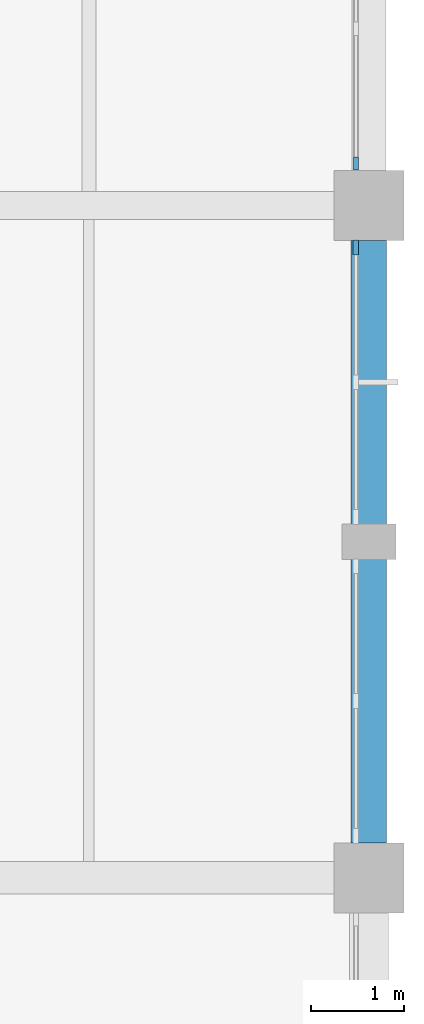
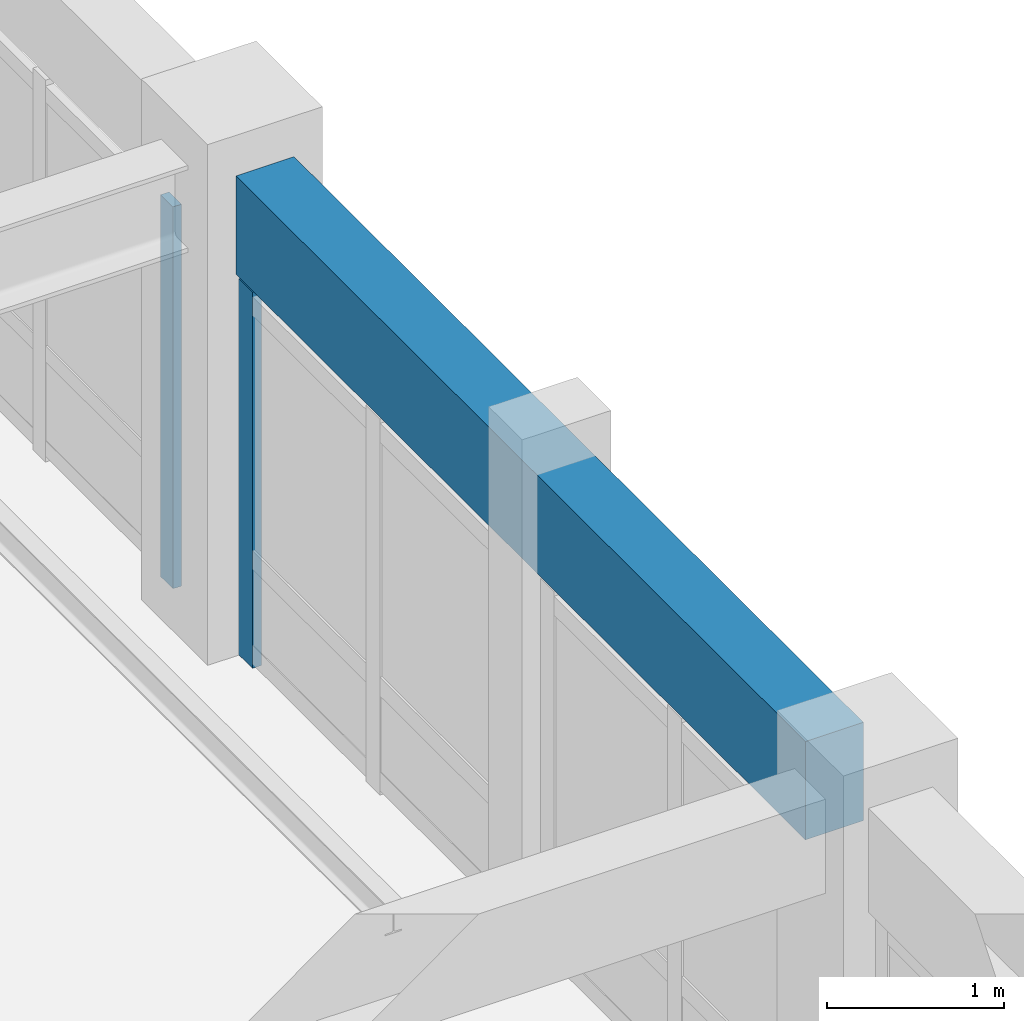
# One storey, part 36 of 74: 2 members, 1 beam, 2 elements without a shape of their own.
"""IFC4 building model written with IfcOpenShell, lengths in metres."""

from ifc_helpers import new_model, si_unit, direction, frame, origin, origin_2d, place, context, subcontext, project, spatial, rectangle, extrude, material, material_profile, profile_set, type_object, element, aggregate, save


model = new_model("IFC4")

# Units and contexts
model_context = context("Model", 3, precision=1e-05, world=origin(), true_north=direction((0.0, 1.0)))
body_context = subcontext(model_context, "Body", "Model", "MODEL_VIEW")
ifc_project = project(units=[si_unit("LENGTHUNIT", "METRE"), si_unit("AREAUNIT", "SQUARE_METRE"), si_unit("VOLUMEUNIT", "CUBIC_METRE"), si_unit("PLANEANGLEUNIT", "RADIAN"), si_unit("MASSUNIT", "GRAM", prefix="KILO")], contexts=[model_context])

# Site, building, storey
site_placement = place(None, origin())
site = spatial("IfcSite", under=ifc_project, at=site_placement, CompositionType="ELEMENT")
building_placement = place(site_placement, origin())
building = spatial("IfcBuilding", under=site, at=building_placement, Name="Clarverna Civic Hall", CompositionType="ELEMENT")
storey_placement = place(building_placement, frame((0.0, 0.0, 13.199951171875)))
storey = spatial("IfcBuildingStorey", under=building, at=storey_placement, Name="L03", CompositionType="ELEMENT", Elevation=13.199951171875)

# Beam
ifc_material_1 = material(Name="Concrete C35/45", Category="concrete")
ifc_material_profile_1 = material_profile(ifc_material_1, rectangle(XDim=0.3798828125, YDim=0.679931640625, at=origin_2d()), Name="RC 380x680")
ifc_profile_set_1 = profile_set([ifc_material_profile_1], Name="Concrete C35/45")
beam_type = type_object("IfcBeamType", Name="B-SP2", PredefinedType="SPANDREL", material=ifc_profile_set_1)
beam_placement = place(storey_placement, frame((168.0, 88.175048828125, 2.97998046875), z_axis=(0.0, 1.0, 0.0), x_axis=(-1.0, 0.0, 0.0)))
element("IfcBeam", 1, at=beam_placement, inside=storey, type_object=beam_type, Name="B-SP2-132", PredefinedType="SPANDREL", context=body_context, shape_type="SweptSolid", body=[
    extrude(rectangle(XDim=0.3798828125, YDim=0.679931640625, at=origin_2d()), origin(), (0.0, 0.0, 1.0), 6.449951171875),
])

# Curtain wall, member
ifc_material_2 = material(Name="Anodised Bronze Architectural Aluminium", Category="aluminium")
curtain_wall_type = type_object("IfcCurtainWallType", Name="CW-01", PredefinedType="USERDEFINED", material=ifc_material_2)
curtain_wall_1_placement = place(storey_placement, origin())
curtain_wall_1 = element("IfcCurtainWall", 2, at=curtain_wall_1_placement, inside=storey, type_object=curtain_wall_type, Name="CW-01-070", ObjectType="UNITISED CURTAIN WALL", PredefinedType="USERDEFINED")
ifc_material_profile_2 = material_profile(ifc_material_2, rectangle(XDim=0.06005859375, YDim=0.159912109375, at=origin_2d()), Name="BRONZE 60x160")
ifc_profile_set_2 = profile_set([ifc_material_profile_2], Name="Anodised Bronze Architectural Aluminium")
member_type_1 = type_object("IfcMemberType", Name="CWM-02", PredefinedType="MULLION", material=ifc_profile_set_2)
member_1_placement = place(storey_placement, frame((167.860107421875, 94.552001953125, 0.0), z_axis=(0.0, 0.0, 1.0), x_axis=(1.0, 0.0, 0.0)))
member_1 = element("IfcMember", 3, at=member_1_placement, type_object=member_type_1, Name="CWM-02-156", PredefinedType="MULLION", context=body_context, shape_type="SweptSolid", body=[
    extrude(rectangle(XDim=0.06005859375, YDim=0.159912109375, at=origin_2d()), origin(), (0.0, 0.0, 1.0), 2.60009765625),
])
aggregate(curtain_wall_1, [member_1])

curtain_wall_2_placement = place(storey_placement, origin())
curtain_wall_2 = element("IfcCurtainWall", 4, at=curtain_wall_2_placement, inside=storey, type_object=curtain_wall_type, Name="CW-01-069", ObjectType="UNITISED CURTAIN WALL", PredefinedType="USERDEFINED")
ifc_material_profile_3 = material_profile(ifc_material_2, rectangle(XDim=0.054931640625, YDim=0.139892578125, at=origin_2d()), Name="BRONZE 55x140")
ifc_profile_set_3 = profile_set([ifc_material_profile_3], Name="Anodised Bronze Architectural Aluminium")
member_type_2 = type_object("IfcMemberType", Name="CWM-04", PredefinedType="MULLION", material=ifc_profile_set_3)
member_2_placement = place(storey_placement, frame((167.860107421875, 95.447998046875, 0.0), z_axis=(0.0, 0.0, 1.0), x_axis=(1.0, 0.0, 0.0)))
member_2 = element("IfcMember", 5, at=member_2_placement, type_object=member_type_2, Name="CWM-04-161", PredefinedType="MULLION", context=body_context, shape_type="SweptSolid", body=[
    extrude(rectangle(XDim=0.054931640625, YDim=0.139892578125, at=origin_2d()), origin(), (0.0, 0.0, 1.0), 2.64013671875),
])
aggregate(curtain_wall_2, [member_2])

save(model, "model.ifc")
